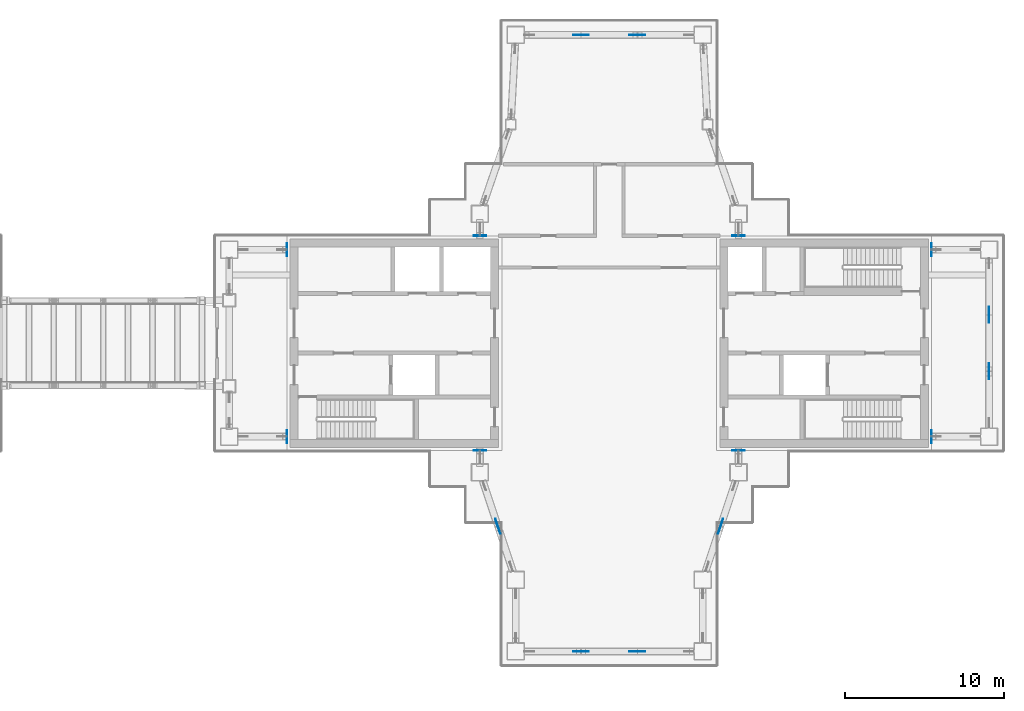
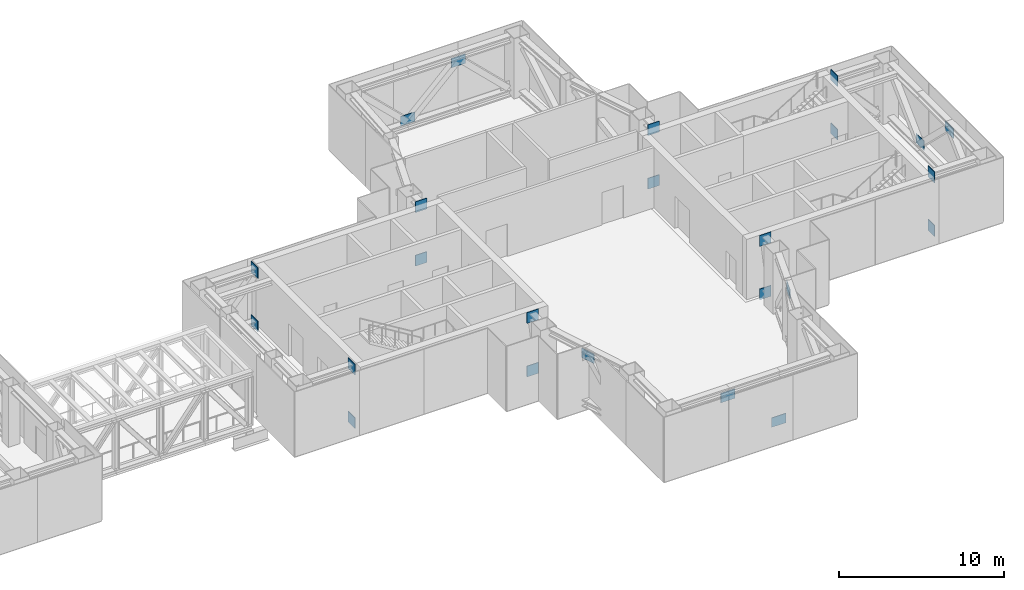
# One storey, part 15 of 21: 24 discrete accessories.
"""IFC4 building model written with IfcOpenShell, lengths in metres."""

from ifc_helpers import new_model, si_unit, direction, frame, origin, origin_2d, place, context, subcontext, project, spatial, rectangle, extrude, material, layer, layer_set, type_object, element, save


model = new_model("IFC4")

# Units and contexts
model_context = context("Model", 3, precision=1e-05, world=origin(), true_north=direction((0.0, 1.0)))
body_context = subcontext(model_context, "Body", "Model", "MODEL_VIEW")
ifc_project = project(units=[si_unit("LENGTHUNIT", "METRE"), si_unit("AREAUNIT", "SQUARE_METRE"), si_unit("VOLUMEUNIT", "CUBIC_METRE"), si_unit("PLANEANGLEUNIT", "RADIAN"), si_unit("MASSUNIT", "GRAM", prefix="KILO")], contexts=[model_context])

# Site, building, storey
site_placement = place(None, origin())
site = spatial("IfcSite", under=ifc_project, at=site_placement, CompositionType="ELEMENT")
building_placement = place(site_placement, origin())
building = spatial("IfcBuilding", under=site, at=building_placement, Name="Shamsa Quay Exchange Towers", CompositionType="ELEMENT")
storey_placement = place(building_placement, frame((0.0, 0.0, 177.89990234375)))
storey = spatial("IfcBuildingStorey", under=building, at=storey_placement, Name="L42", CompositionType="ELEMENT", Elevation=177.89990234375)

# Discrete accessories
ifc_material = material(Name="Steel S355", Category="steel")
ifc_layer_1 = layer(ifc_material, 0.050048828125)
ifc_layer_set_1 = layer_set([ifc_layer_1], Name="Cast-in plate 50x800x798")
discrete_accessory_type_1 = type_object("IfcDiscreteAccessoryType", Name="Cast-in plate 50x800x798", PredefinedType="ANCHORPLATE", material=ifc_layer_set_1)
for number, where, name in (
    (1, (13.5, -5.875, 3.80224609375), "Cast-in plate T2 L42"),
    (2, (13.5, -5.875, -0.14990234375), "Cast-in plate T2 L42"),
):
    element("IfcDiscreteAccessory", number, at=place(storey_placement, frame(where)), inside=storey, type_object=discrete_accessory_type_1, Name=name, PredefinedType="ANCHORPLATE", context=body_context, shape_type="SweptSolid", body=[
        extrude(rectangle(XDim=0.050048828125, YDim=0.800048828125, at=origin_2d()), origin(), (0.0, 0.0, 1.0), 0.7978515625),
    ])
for number, where, z_axis, x_axis, name in (
    (3, (25.625, -6.75, 3.80224609375), (0.0, 0.0, 1.0), (0.0, 1.0, 0.0), "Cast-in plate T2 L42"),
    (4, (25.625, -6.75, -0.14990234375), (0.0, 0.0, 1.0), (0.0, 1.0, 0.0), "Cast-in plate T2 L42"),
    (5, (41.875, -6.75, 3.80224609375), (0.0, 0.0, 1.0), (0.0, 1.0, 0.0), "Cast-in plate T2 L42"),
    (6, (41.875, -6.75, -0.14990234375), (0.0, 0.0, 1.0), (0.0, 1.0, 0.0), "Cast-in plate T2 L42"),
    (7, (54.0, -5.875, 3.80224609375), (0.0, 0.0, 1.0), (-1.0, 0.0, 0.0), "Cast-in plate T2 L42"),
    (8, (54.0, -5.875, -0.14990234375), (0.0, 0.0, 1.0), (-1.0, 0.0, 0.0), "Cast-in plate T2 L42"),
    (9, (54.0, 5.875, 3.80224609375), (0.0, 0.0, 1.0), (-1.0, 0.0, 0.0), "Cast-in plate T2 L42"),
    (10, (54.0, 5.875, -0.14990234375), (0.0, 0.0, 1.0), (-1.0, 0.0, 0.0), "Cast-in plate T2 L42"),
    (11, (41.875, 6.75, 3.80224609375), (0.0, 0.0, 1.0), (0.0, -1.0, 0.0), "Cast-in plate T2 L42"),
    (12, (41.875, 6.75, -0.14990234375), (0.0, 0.0, 1.0), (0.0, -1.0, 0.0), "Cast-in plate T2 L42"),
    (13, (25.625, 6.75, 3.80224609375), (0.0, 0.0, 1.0), (0.0, -1.0, 0.0), "Cast-in plate T2 L42"),
    (14, (25.625, 6.75, -0.14990234375), (0.0, 0.0, 1.0), (0.0, -1.0, 0.0), "Cast-in plate T2 L42"),
):
    element("IfcDiscreteAccessory", number, at=place(storey_placement, frame(where, z_axis=z_axis, x_axis=x_axis)), inside=storey, type_object=discrete_accessory_type_1, Name=name, PredefinedType="ANCHORPLATE", context=body_context, shape_type="SweptSolid", body=[
        extrude(rectangle(XDim=0.050048828125, YDim=0.800048828125, at=origin_2d()), origin(), (0.0, 0.0, 1.0), 0.7978515625),
    ])
for number, where, name in (
    (15, (13.5, 5.875, 3.80224609375), "Cast-in plate T2 L42"),
    (16, (13.5, 5.875, -0.14990234375), "Cast-in plate T2 L42"),
):
    element("IfcDiscreteAccessory", number, at=place(storey_placement, frame(where)), inside=storey, type_object=discrete_accessory_type_1, Name=name, PredefinedType="ANCHORPLATE", context=body_context, shape_type="SweptSolid", body=[
        extrude(rectangle(XDim=0.050048828125, YDim=0.800048828125, at=origin_2d()), origin(), (0.0, 0.0, 1.0), 0.7978515625),
    ])
ifc_layer_2 = layer(ifc_material, 0.0400390625)
ifc_layer_set_2 = layer_set([ifc_layer_2], Name="Gusset plate 1000x700x40")
discrete_accessory_type_2 = type_object("IfcDiscreteAccessoryType", Name="Gusset plate 1000x700x40", PredefinedType="BRACKET", material=ifc_layer_set_2)
discrete_accessory_placement = place(storey_placement, frame((26.75, -11.5, 3.40234375), z_axis=(0.0, 0.0, 1.0), x_axis=(0.316227766018, -0.94868329805, 0.0)))
element("IfcDiscreteAccessory", 17, at=discrete_accessory_placement, inside=storey, type_object=discrete_accessory_type_2, Name="Gusset plate T2 L42", PredefinedType="BRACKET", context=body_context, shape_type="SweptSolid", body=[
    extrude(rectangle(XDim=1.0, YDim=0.0400390625, at=origin_2d()), origin(), (0.0, 0.0, 1.0), 0.699951171875),
])
for number, where, name in (
    (18, (31.97509765625, -19.375, 3.40234375), "Gusset plate T2 L42"),
    (19, (35.52490234375, -19.375, 0.34814453125), "Gusset plate T2 L42"),
):
    element("IfcDiscreteAccessory", number, at=place(storey_placement, frame(where)), inside=storey, type_object=discrete_accessory_type_2, Name=name, PredefinedType="BRACKET", context=body_context, shape_type="SweptSolid", body=[
        extrude(rectangle(XDim=1.0, YDim=0.0400390625, at=origin_2d()), origin(), (0.0, 0.0, 1.0), 0.699951171875),
    ])
for number, where, z_axis, x_axis, name in (
    (20, (40.75, -11.5, 3.40234375), (0.0, 0.0, 1.0), (0.316227766018, 0.94868329805, 0.0), "Gusset plate T2 L42"),
    (21, (57.625, -1.77490234375, 3.40234375), (0.0, 0.0, 1.0), (0.0, 1.0, 0.0), "Gusset plate T2 L42"),
    (22, (57.625, 1.77490234375, 0.34814453125), (0.0, 0.0, 1.0), (0.0, 1.0, 0.0), "Gusset plate T2 L42"),
    (23, (35.52490234375, 19.375, 3.40234375), (0.0, 0.0, 1.0), (-1.0, 0.0, 0.0), "Gusset plate T2 L42"),
    (24, (31.97509765625, 19.375, 0.34814453125), (0.0, 0.0, 1.0), (-1.0, 0.0, 0.0), "Gusset plate T2 L42"),
):
    element("IfcDiscreteAccessory", number, at=place(storey_placement, frame(where, z_axis=z_axis, x_axis=x_axis)), inside=storey, type_object=discrete_accessory_type_2, Name=name, PredefinedType="BRACKET", context=body_context, shape_type="SweptSolid", body=[
        extrude(rectangle(XDim=1.0, YDim=0.0400390625, at=origin_2d()), origin(), (0.0, 0.0, 1.0), 0.699951171875),
    ])

save(model, "model.ifc")
